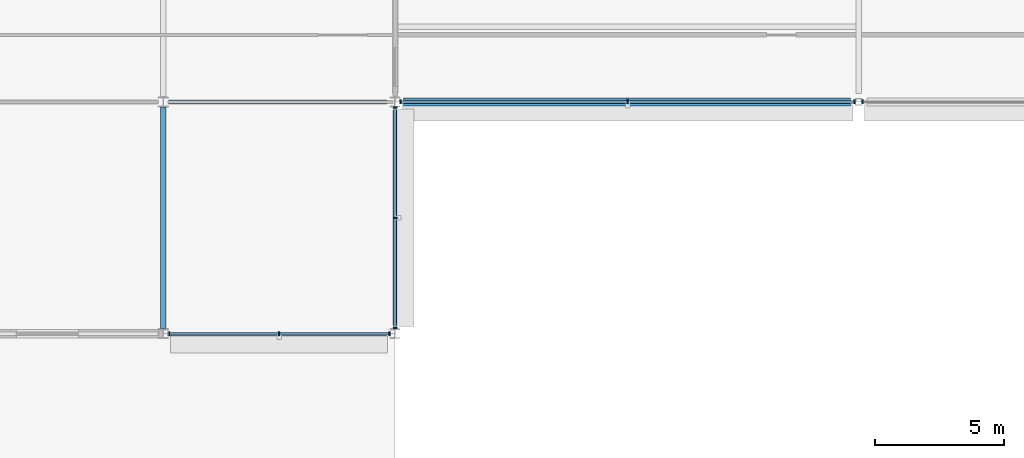
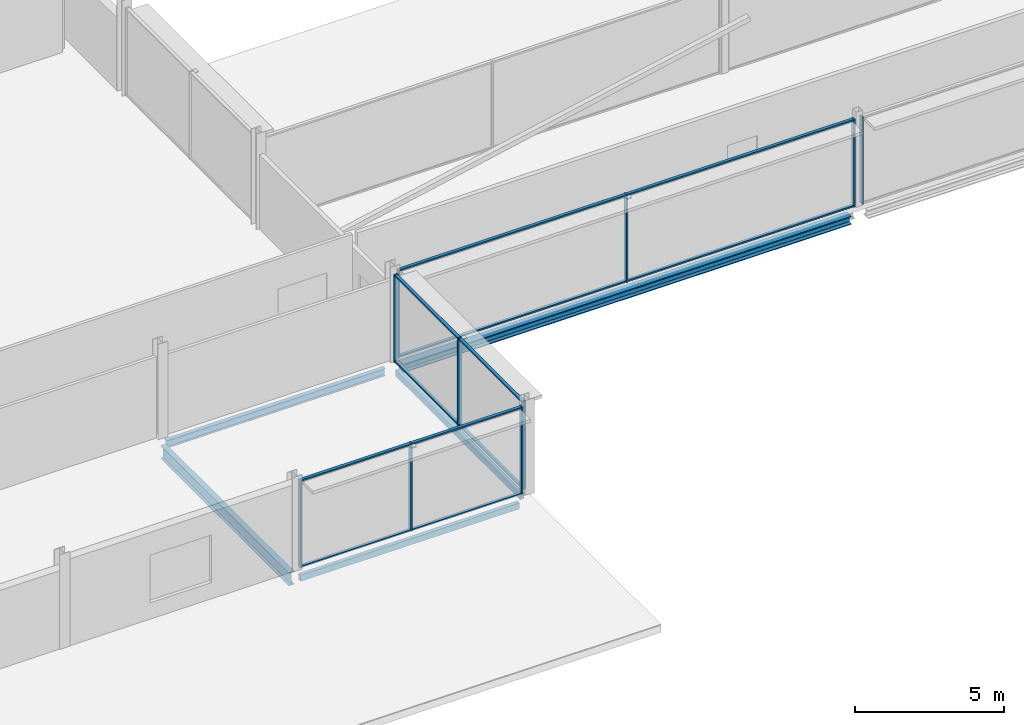
# One storey, part 19 of 105: 22 members, 5 beams, 4 elements without a shape of their own.
"""IFC4 building model written with IfcOpenShell, lengths in metres."""

from ifc_helpers import new_model, si_unit, direction, frame, origin, origin_2d, place, context, subcontext, project, spatial, rectangle, hollow_rectangle, i_section, extrude, material, layer, layer_set, material_profile, profile_set, type_object, element, aggregate, save


model = new_model("IFC4")

# Units and contexts
model_context = context("Model", 3, precision=1e-05, world=origin(), true_north=direction((0.0, 1.0)))
body_context = subcontext(model_context, "Body", "Model", "MODEL_VIEW")
ifc_project = project(units=[si_unit("LENGTHUNIT", "METRE"), si_unit("AREAUNIT", "SQUARE_METRE"), si_unit("VOLUMEUNIT", "CUBIC_METRE"), si_unit("PLANEANGLEUNIT", "RADIAN"), si_unit("MASSUNIT", "GRAM", prefix="KILO")], contexts=[model_context])

# Site, building, storey
site_placement = place(None, origin())
site = spatial("IfcSite", under=ifc_project, at=site_placement, CompositionType="ELEMENT")
building_placement = place(site_placement, origin())
building = spatial("IfcBuilding", under=site, at=building_placement, Name="Kisiwana Market Hall", CompositionType="ELEMENT")
storey_placement = place(building_placement, frame((0.0, 0.0, 21.60009765625)))
storey = spatial("IfcBuildingStorey", under=building, at=storey_placement, Name="L04", CompositionType="ELEMENT", Elevation=21.60009765625)

# Beams
ifc_material_1 = material(Name="Steel S355", Category="steel")
ifc_material_profile_1 = material_profile(ifc_material_1, i_section(OverallWidth=0.209228515625, OverallDepth=0.533203125, WebThickness=0.010009765625, FlangeThickness=0.015625, at=origin_2d()), Name="UB 533x210x92")
ifc_profile_set_1 = profile_set([ifc_material_profile_1], Name="Steel S355")
beam_type_1 = type_object("IfcBeamType", Name="BM-GIRD-UB533", PredefinedType="BEAM", material=ifc_profile_set_1)
beam_1_placement = place(storey_placement, frame((36.0, 9.19287109375, -0.51171875), z_axis=(0.0, 1.0, 0.0), x_axis=(-1.0, 0.0, 0.0)))
element("IfcBeam", 1, at=beam_1_placement, inside=storey, type_object=beam_type_1, Name="Primary girder B-1351", PredefinedType="BEAM", context=body_context, shape_type="SweptSolid", body=[
    extrude(i_section(OverallWidth=0.209228515625, OverallDepth=0.533203125, WebThickness=0.010009765625, FlangeThickness=0.015625, at=origin_2d()), origin(), (0.0, 0.0, 1.0), 8.60302734375),
])
ifc_material_2 = material(Name="Steel S355", Category="steel")
ifc_material_profile_2 = material_profile(ifc_material_2, i_section(OverallWidth=0.1650390625, OverallDepth=0.303466796875, WebThickness=0.006103515625, FlangeThickness=0.01025390625, at=origin_2d()), Name="UB 305x165x40")
ifc_profile_set_2 = profile_set([ifc_material_profile_2], Name="Steel S355")
beam_type_2 = type_object("IfcBeamType", Name="BM-JOIST-UB040", PredefinedType="JOIST", material=ifc_profile_set_2)
beam_2_placement = place(storey_placement, frame((36.198974609375, 18.0, -0.396728515625), z_axis=(1.0, 0.0, 0.0), x_axis=(0.0, 1.0, 0.0)))
element("IfcBeam", 2, at=beam_2_placement, inside=storey, type_object=beam_type_2, Name="Floor beam B-1426", PredefinedType="JOIST", context=body_context, shape_type="SweptSolid", body=[
    extrude(i_section(OverallWidth=0.1650390625, OverallDepth=0.303466796875, WebThickness=0.006103515625, FlangeThickness=0.01025390625, at=origin_2d()), origin(), (0.0, 0.0, 1.0), 8.47998046875),
])
ifc_material_3 = material(Name="Steel S355", Category="steel")
ifc_material_profile_3 = material_profile(ifc_material_3, i_section(OverallWidth=0.314453125, OverallDepth=0.33984375, WebThickness=0.01904296875, FlangeThickness=0.031494140625, at=origin_2d()), Name="UC 305x305x198")
ifc_profile_set_3 = profile_set([ifc_material_profile_3], Name="Steel S355")
beam_type_3 = type_object("IfcBeamType", Name="BM-SKYBR-CHORD", PredefinedType="BEAM", material=ifc_profile_set_3)
beam_3_placement = place(storey_placement, frame((45.321044921875, 18.0, -0.43505859375), z_axis=(1.0, 0.0, 0.0), x_axis=(0.0, 1.0, 0.0)))
element("IfcBeam", 3, at=beam_3_placement, inside=storey, type_object=beam_type_3, Name="Floor beam B-1427", PredefinedType="BEAM", context=body_context, shape_type="SweptSolid", body=[
    extrude(i_section(OverallWidth=0.314453125, OverallDepth=0.33984375, WebThickness=0.01904296875, FlangeThickness=0.031494140625, at=origin_2d()), origin(), (0.0, 0.0, 1.0), 17.35791015625),
])
ifc_material_4 = material(Name="Steel S355", Category="steel")
ifc_material_profile_4 = material_profile(ifc_material_4, hollow_rectangle(XDim=0.14990234375, YDim=0.25, WallThickness=0.010009765625, at=origin_2d()), Name="RHS 250x150x10.0")
ifc_profile_set_4 = profile_set([ifc_material_profile_4], Name="Steel S355")
beam_type_4 = type_object("IfcBeamType", Name="BM-SPAN-RHS250", PredefinedType="SPANDREL", material=ifc_profile_set_4)
beam_4_placement = place(storey_placement, frame((36.195556640625, 9.0, -0.4169921875), z_axis=(1.0, 0.0, 0.0), x_axis=(0.0, 1.0, 0.0)))
element("IfcBeam", 4, at=beam_4_placement, inside=storey, type_object=beam_type_4, Name="Floor beam B-1418", PredefinedType="SPANDREL", context=body_context, shape_type="SweptSolid", body=[
    extrude(hollow_rectangle(XDim=0.14990234375, YDim=0.25, WallThickness=0.010009765625, at=origin_2d()), origin(), (0.0, 0.0, 1.0), 8.4833984375),
])
beam_5_placement = place(storey_placement, frame((45.0, 9.321044921875, -0.3701171875), z_axis=(0.0, 1.0, 0.0), x_axis=(-1.0, 0.0, 0.0)))
element("IfcBeam", 5, at=beam_5_placement, inside=storey, type_object=beam_type_4, Name="Floor beam B-1497", PredefinedType="SPANDREL", context=body_context, shape_type="SweptSolid", body=[
    extrude(hollow_rectangle(XDim=0.14990234375, YDim=0.25, WallThickness=0.010009765625, at=origin_2d()), origin(), (0.0, 0.0, 1.0), 8.35791015625),
])

# Curtain wall, members
ifc_material_5 = material(Name="Double-glazed solar-control low-E IGU", Category="glass")
ifc_layer = layer(ifc_material_5, 0.159912109375)
ifc_layer_set = layer_set([ifc_layer], Name="CW-ZNA-EW-8200")
curtain_wall_type = type_object("IfcCurtainWallType", Name="CW-ZNA-EW-8200", PredefinedType="USERDEFINED", material=ifc_layer_set)
curtain_wall_1_placement = place(storey_placement, origin())
curtain_wall_1 = element("IfcCurtainWall", 6, at=curtain_wall_1_placement, inside=storey, type_object=curtain_wall_type, Name="Unitised curtain wall CW-089 (L04)", ObjectType="UNITISED CURTAIN WALL", PredefinedType="USERDEFINED")
ifc_material_6 = material(Name="Aluminium alloy 6063-T6", Category="aluminium")
ifc_material_profile_5 = material_profile(ifc_material_6, rectangle(XDim=0.06005859375, YDim=0.159912109375, at=origin_2d()), Name="ALU MULLION 60x160")
ifc_profile_set_5 = profile_set([ifc_material_profile_5], Name="Aluminium alloy 6063-T6")
member_type_1 = type_object("IfcMemberType", Name="CW-MULL-60x160", PredefinedType="MULLION", material=ifc_profile_set_5)
member_1_placement = place(storey_placement, frame((36.21630859375, 9.0, 0.0), z_axis=(0.0, 0.0, 1.0), x_axis=(1.0, 0.0, 0.0)))
member_1 = element("IfcMember", 7, at=member_1_placement, type_object=member_type_1, Name="CW-089 mullion 1", PredefinedType="MULLION", context=body_context, shape_type="SweptSolid", body=[
    extrude(rectangle(XDim=0.06005859375, YDim=0.159912109375, at=origin_2d()), origin(), (0.0, 0.0, 1.0), 3.5849609375),
])
member_2_placement = place(storey_placement, frame((40.5, 9.0, 0.0), z_axis=(0.0, 0.0, 1.0), x_axis=(1.0, 0.0, 0.0)))
member_2 = element("IfcMember", 8, at=member_2_placement, type_object=member_type_1, Name="CW-089 mullion 2", PredefinedType="MULLION", context=body_context, shape_type="SweptSolid", body=[
    extrude(rectangle(XDim=0.06005859375, YDim=0.159912109375, at=origin_2d()), origin(), (0.0, 0.0, 1.0), 3.5849609375),
])
member_3_placement = place(storey_placement, frame((44.78369140625, 9.0, 0.0), z_axis=(0.0, 0.0, 1.0), x_axis=(1.0, 0.0, 0.0)))
member_3 = element("IfcMember", 9, at=member_3_placement, type_object=member_type_1, Name="CW-089 mullion 3", PredefinedType="MULLION", context=body_context, shape_type="SweptSolid", body=[
    extrude(rectangle(XDim=0.06005859375, YDim=0.159912109375, at=origin_2d()), origin(), (0.0, 0.0, 1.0), 3.5849609375),
])

curtain_wall_2_placement = place(storey_placement, origin())
curtain_wall_2 = element("IfcCurtainWall", 10, at=curtain_wall_2_placement, inside=storey, type_object=curtain_wall_type, Name="Unitised curtain wall CW-092 (L04)", ObjectType="UNITISED CURTAIN WALL", PredefinedType="USERDEFINED")
member_4_placement = place(storey_placement, frame((45.21630859375, 18.0, 0.0), z_axis=(0.0, 0.0, 1.0), x_axis=(1.0, 0.0, 0.0)))
member_4 = element("IfcMember", 11, at=member_4_placement, type_object=member_type_1, Name="CW-092 mullion 1", PredefinedType="MULLION", context=body_context, shape_type="SweptSolid", body=[
    extrude(rectangle(XDim=0.06005859375, YDim=0.159912109375, at=origin_2d()), origin(), (0.0, 0.0, 1.0), 3.5849609375),
])
member_5_placement = place(storey_placement, frame((54.03076171875, 18.0, 0.0), z_axis=(0.0, 0.0, 1.0), x_axis=(1.0, 0.0, 0.0)))
member_5 = element("IfcMember", 12, at=member_5_placement, type_object=member_type_1, Name="CW-092 mullion 2", PredefinedType="MULLION", context=body_context, shape_type="SweptSolid", body=[
    extrude(rectangle(XDim=0.06005859375, YDim=0.159912109375, at=origin_2d()), origin(), (0.0, 0.0, 1.0), 3.5849609375),
])
member_6_placement = place(storey_placement, frame((62.844970703125, 18.0, 0.0), z_axis=(0.0, 0.0, 1.0), x_axis=(1.0, 0.0, 0.0)))
member_6 = element("IfcMember", 13, at=member_6_placement, type_object=member_type_1, Name="CW-092 mullion 3", PredefinedType="MULLION", context=body_context, shape_type="SweptSolid", body=[
    extrude(rectangle(XDim=0.06005859375, YDim=0.159912109375, at=origin_2d()), origin(), (0.0, 0.0, 1.0), 3.5849609375),
])

# Curtain wall, member
curtain_wall_3_placement = place(storey_placement, origin())
curtain_wall_3 = element("IfcCurtainWall", 14, at=curtain_wall_3_placement, inside=storey, type_object=curtain_wall_type, Name="Unitised curtain wall CW-093 (L04)", ObjectType="UNITISED CURTAIN WALL", PredefinedType="USERDEFINED")
member_7_placement = place(storey_placement, frame((63.155029296875, 18.0, 0.0), z_axis=(0.0, 0.0, 1.0), x_axis=(1.0, 0.0, 0.0)))
member_7 = element("IfcMember", 15, at=member_7_placement, type_object=member_type_1, Name="CW-093 mullion 1", PredefinedType="MULLION", context=body_context, shape_type="SweptSolid", body=[
    extrude(rectangle(XDim=0.06005859375, YDim=0.159912109375, at=origin_2d()), origin(), (0.0, 0.0, 1.0), 3.5849609375),
])
aggregate(curtain_wall_3, [member_7])

# Curtain wall, members
curtain_wall_4_placement = place(storey_placement, origin())
curtain_wall_4 = element("IfcCurtainWall", 16, at=curtain_wall_4_placement, inside=storey, type_object=curtain_wall_type, Name="Unitised curtain wall CW-120 (L04)", ObjectType="UNITISED CURTAIN WALL", PredefinedType="USERDEFINED")
member_8_placement = place(storey_placement, frame((45.0, 9.214111328125, 0.0), z_axis=(0.0, 0.0, 1.0), x_axis=(0.0, 1.0, 0.0)))
member_8 = element("IfcMember", 17, at=member_8_placement, type_object=member_type_1, Name="CW-120 mullion 1", PredefinedType="MULLION", context=body_context, shape_type="SweptSolid", body=[
    extrude(rectangle(XDim=0.06005859375, YDim=0.159912109375, at=origin_2d()), origin(), (0.0, 0.0, 1.0), 3.5849609375),
])
member_9_placement = place(storey_placement, frame((45.0, 13.5, 0.0), z_axis=(0.0, 0.0, 1.0), x_axis=(0.0, 1.0, 0.0)))
member_9 = element("IfcMember", 18, at=member_9_placement, type_object=member_type_1, Name="CW-120 mullion 2", PredefinedType="MULLION", context=body_context, shape_type="SweptSolid", body=[
    extrude(rectangle(XDim=0.06005859375, YDim=0.159912109375, at=origin_2d()), origin(), (0.0, 0.0, 1.0), 3.5849609375),
])
member_10_placement = place(storey_placement, frame((45.0, 17.785888671875, 0.0), z_axis=(0.0, 0.0, 1.0), x_axis=(0.0, 1.0, 0.0)))
member_10 = element("IfcMember", 19, at=member_10_placement, type_object=member_type_1, Name="CW-120 mullion 3", PredefinedType="MULLION", context=body_context, shape_type="SweptSolid", body=[
    extrude(rectangle(XDim=0.06005859375, YDim=0.159912109375, at=origin_2d()), origin(), (0.0, 0.0, 1.0), 3.5849609375),
])

# Member
ifc_material_7 = material(Name="Aluminium alloy 6063-T6", Category="aluminium")
ifc_material_profile_6 = material_profile(ifc_material_7, rectangle(XDim=0.1201171875, YDim=0.06005859375, at=origin_2d()), Name="ALU TRANSOM 60x120")
ifc_profile_set_6 = profile_set([ifc_material_profile_6], Name="Aluminium alloy 6063-T6")
member_type_2 = type_object("IfcMemberType", Name="CW-TRAN-60x120", PredefinedType="USERDEFINED", material=ifc_profile_set_6)
member_11_placement = place(storey_placement, frame((36.246337890625, 9.0, 0.02978515625), z_axis=(1.0, 0.0, 0.0), x_axis=(0.0, 1.0, 0.0)))
member_11 = element("IfcMember", 20, at=member_11_placement, type_object=member_type_2, Name="CW-089 transom 1.1", ObjectType="TRANSOM", PredefinedType="USERDEFINED", context=body_context, shape_type="SweptSolid", body=[
    extrude(rectangle(XDim=0.1201171875, YDim=0.06005859375, at=origin_2d()), origin(), (0.0, 0.0, 1.0), 4.2236328125),
])

member_12_placement = place(storey_placement, frame((36.246337890625, 9.0, 3.554931640625), z_axis=(1.0, 0.0, 0.0), x_axis=(0.0, 1.0, 0.0)))
member_12 = element("IfcMember", 21, at=member_12_placement, type_object=member_type_2, Name="CW-089 transom 1.2", ObjectType="TRANSOM", PredefinedType="USERDEFINED", context=body_context, shape_type="SweptSolid", body=[
    extrude(rectangle(XDim=0.1201171875, YDim=0.06005859375, at=origin_2d()), origin(), (0.0, 0.0, 1.0), 4.2236328125),
])

member_13_placement = place(storey_placement, frame((40.530029296875, 9.0, 0.02978515625), z_axis=(1.0, 0.0, 0.0), x_axis=(0.0, 1.0, 0.0)))
member_13 = element("IfcMember", 22, at=member_13_placement, type_object=member_type_2, Name="CW-089 transom 2.1", ObjectType="TRANSOM", PredefinedType="USERDEFINED", context=body_context, shape_type="SweptSolid", body=[
    extrude(rectangle(XDim=0.1201171875, YDim=0.06005859375, at=origin_2d()), origin(), (0.0, 0.0, 1.0), 4.2236328125),
])

member_14_placement = place(storey_placement, frame((40.530029296875, 9.0, 3.554931640625), z_axis=(1.0, 0.0, 0.0), x_axis=(0.0, 1.0, 0.0)))
member_14 = element("IfcMember", 23, at=member_14_placement, type_object=member_type_2, Name="CW-089 transom 2.2", ObjectType="TRANSOM", PredefinedType="USERDEFINED", context=body_context, shape_type="SweptSolid", body=[
    extrude(rectangle(XDim=0.1201171875, YDim=0.06005859375, at=origin_2d()), origin(), (0.0, 0.0, 1.0), 4.2236328125),
])

aggregate(curtain_wall_1, [member_1, member_2, member_3, member_11, member_12, member_13, member_14])

member_15_placement = place(storey_placement, frame((45.246337890625, 18.0, 0.02978515625), z_axis=(1.0, 0.0, 0.0), x_axis=(0.0, 1.0, 0.0)))
member_15 = element("IfcMember", 24, at=member_15_placement, type_object=member_type_2, Name="CW-092 transom 1.1", ObjectType="TRANSOM", PredefinedType="USERDEFINED", context=body_context, shape_type="SweptSolid", body=[
    extrude(rectangle(XDim=0.1201171875, YDim=0.06005859375, at=origin_2d()), origin(), (0.0, 0.0, 1.0), 8.75439453125),
])

member_16_placement = place(storey_placement, frame((45.246337890625, 18.0, 3.554931640625), z_axis=(1.0, 0.0, 0.0), x_axis=(0.0, 1.0, 0.0)))
member_16 = element("IfcMember", 25, at=member_16_placement, type_object=member_type_2, Name="CW-092 transom 1.2", ObjectType="TRANSOM", PredefinedType="USERDEFINED", context=body_context, shape_type="SweptSolid", body=[
    extrude(rectangle(XDim=0.1201171875, YDim=0.06005859375, at=origin_2d()), origin(), (0.0, 0.0, 1.0), 8.75439453125),
])

member_17_placement = place(storey_placement, frame((54.060546875, 18.0, 0.02978515625), z_axis=(1.0, 0.0, 0.0), x_axis=(0.0, 1.0, 0.0)))
member_17 = element("IfcMember", 26, at=member_17_placement, type_object=member_type_2, Name="CW-092 transom 2.1", ObjectType="TRANSOM", PredefinedType="USERDEFINED", context=body_context, shape_type="SweptSolid", body=[
    extrude(rectangle(XDim=0.1201171875, YDim=0.06005859375, at=origin_2d()), origin(), (0.0, 0.0, 1.0), 8.75439453125),
])

member_18_placement = place(storey_placement, frame((54.060546875, 18.0, 3.554931640625), z_axis=(1.0, 0.0, 0.0), x_axis=(0.0, 1.0, 0.0)))
member_18 = element("IfcMember", 27, at=member_18_placement, type_object=member_type_2, Name="CW-092 transom 2.2", ObjectType="TRANSOM", PredefinedType="USERDEFINED", context=body_context, shape_type="SweptSolid", body=[
    extrude(rectangle(XDim=0.1201171875, YDim=0.06005859375, at=origin_2d()), origin(), (0.0, 0.0, 1.0), 8.75439453125),
])

aggregate(curtain_wall_2, [member_4, member_5, member_6, member_15, member_16, member_17, member_18])

member_19_placement = place(storey_placement, frame((45.0, 9.244140625, 0.02978515625), z_axis=(0.0, 1.0, 0.0), x_axis=(-1.0, 0.0, 0.0)))
member_19 = element("IfcMember", 28, at=member_19_placement, type_object=member_type_2, Name="CW-120 transom 1.1", ObjectType="TRANSOM", PredefinedType="USERDEFINED", context=body_context, shape_type="SweptSolid", body=[
    extrude(rectangle(XDim=0.1201171875, YDim=0.06005859375, at=origin_2d()), origin(), (0.0, 0.0, 1.0), 4.225830078125),
])

member_20_placement = place(storey_placement, frame((45.0, 9.244140625, 3.554931640625), z_axis=(0.0, 1.0, 0.0), x_axis=(-1.0, 0.0, 0.0)))
member_20 = element("IfcMember", 29, at=member_20_placement, type_object=member_type_2, Name="CW-120 transom 1.2", ObjectType="TRANSOM", PredefinedType="USERDEFINED", context=body_context, shape_type="SweptSolid", body=[
    extrude(rectangle(XDim=0.1201171875, YDim=0.06005859375, at=origin_2d()), origin(), (0.0, 0.0, 1.0), 4.225830078125),
])

member_21_placement = place(storey_placement, frame((45.0, 13.530029296875, 0.02978515625), z_axis=(0.0, 1.0, 0.0), x_axis=(-1.0, 0.0, 0.0)))
member_21 = element("IfcMember", 30, at=member_21_placement, type_object=member_type_2, Name="CW-120 transom 2.1", ObjectType="TRANSOM", PredefinedType="USERDEFINED", context=body_context, shape_type="SweptSolid", body=[
    extrude(rectangle(XDim=0.1201171875, YDim=0.06005859375, at=origin_2d()), origin(), (0.0, 0.0, 1.0), 4.225830078125),
])

member_22_placement = place(storey_placement, frame((45.0, 13.530029296875, 3.554931640625), z_axis=(0.0, 1.0, 0.0), x_axis=(-1.0, 0.0, 0.0)))
member_22 = element("IfcMember", 31, at=member_22_placement, type_object=member_type_2, Name="CW-120 transom 2.2", ObjectType="TRANSOM", PredefinedType="USERDEFINED", context=body_context, shape_type="SweptSolid", body=[
    extrude(rectangle(XDim=0.1201171875, YDim=0.06005859375, at=origin_2d()), origin(), (0.0, 0.0, 1.0), 4.225830078125),
])

aggregate(curtain_wall_4, [member_8, member_9, member_10, member_19, member_20, member_21, member_22])

save(model, "model.ifc")
